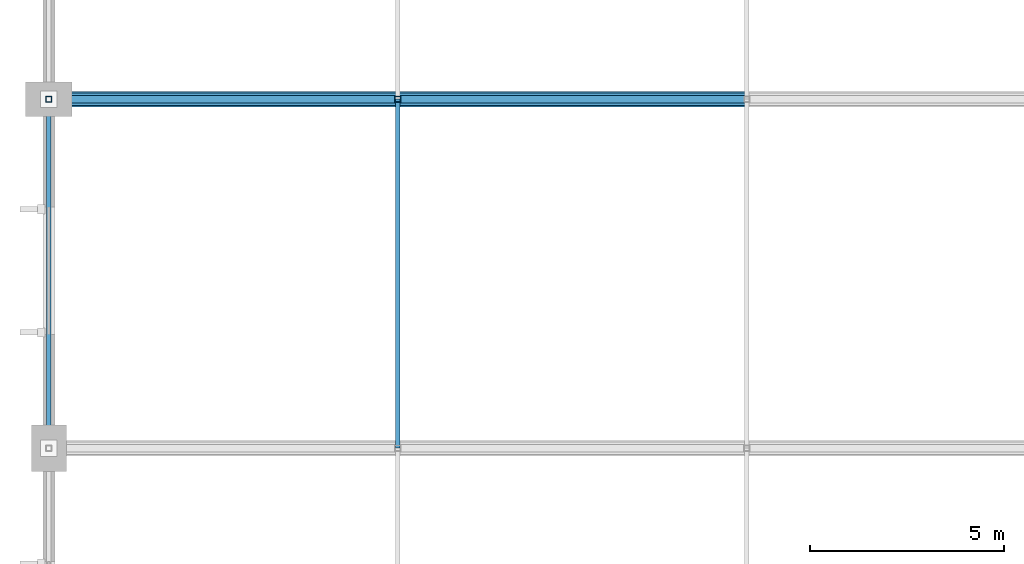
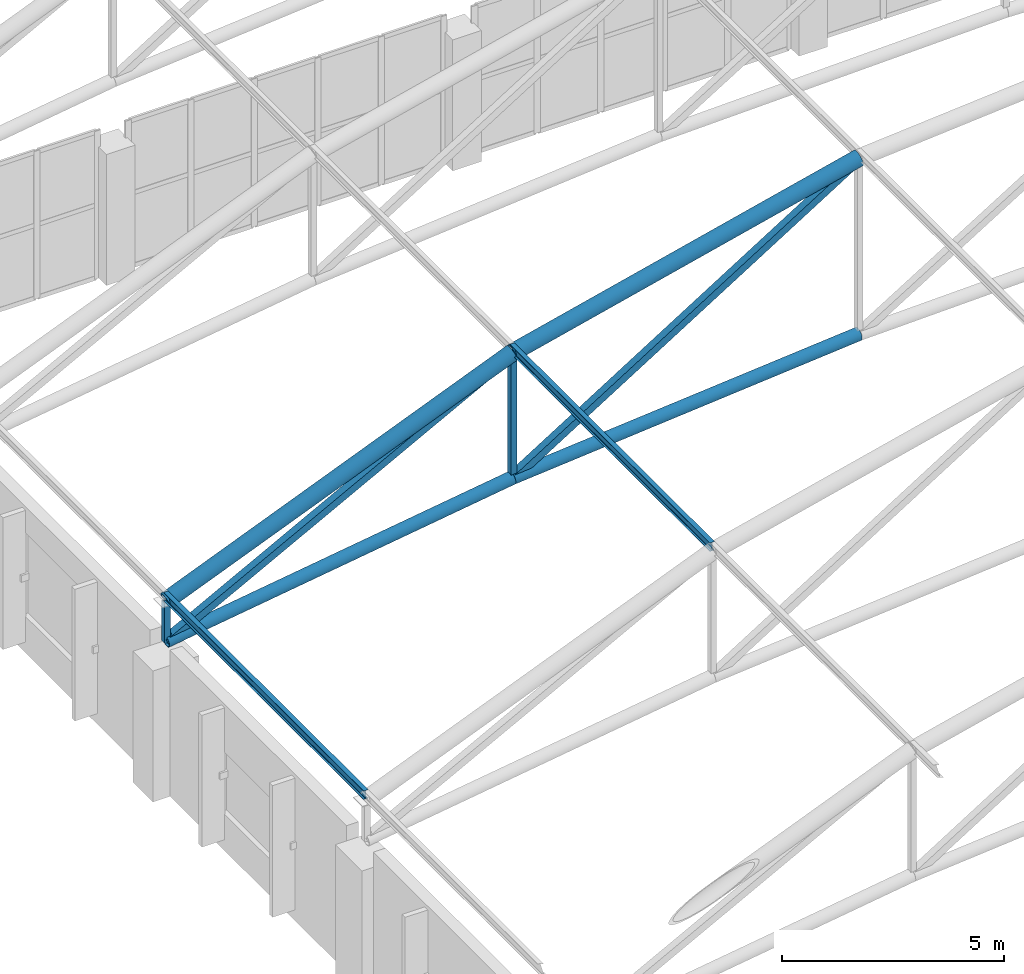
# One storey, part 55 of 167: 10 members.
"""IFC4 building model written with IfcOpenShell, lengths in metres."""

from ifc_helpers import new_model, si_unit, direction, frame, origin, origin_2d, place, context, subcontext, project, spatial, hollow_rectangle, hollow_circle, i_section, extrude, material, material_profile, profile_set, type_object, element, save


model = new_model("IFC4")

# Units and contexts
model_context = context("Model", 3, precision=1e-05, world=origin(), true_north=direction((0.0, 1.0)))
body_context = subcontext(model_context, "Body", "Model", "MODEL_VIEW")
ifc_project = project(units=[si_unit("LENGTHUNIT", "METRE"), si_unit("AREAUNIT", "SQUARE_METRE"), si_unit("VOLUMEUNIT", "CUBIC_METRE"), si_unit("PLANEANGLEUNIT", "RADIAN"), si_unit("MASSUNIT", "GRAM", prefix="KILO")], contexts=[model_context])

# Site, building, storey
site_placement = place(None, origin())
site = spatial("IfcSite", under=ifc_project, at=site_placement, CompositionType="ELEMENT")
building_placement = place(site_placement, origin())
building = spatial("IfcBuilding", under=site, at=building_placement, Name="Dornveld Trade and Exhibition Forum", CompositionType="ELEMENT")
storey_placement = place(building_placement, frame((0.0, 0.0, 16.800048828125)))
storey = spatial("IfcBuildingStorey", under=building, at=storey_placement, Name="L03", CompositionType="ELEMENT", Elevation=16.800048828125)

# Members
ifc_material_1 = material(Name="Steel S355J2", Category="steel")
ifc_material_profile_1 = material_profile(ifc_material_1, hollow_circle(Radius=0.161865234375, WallThickness=0.01611328125, at=origin_2d()), Name="CHS 323.9x16")
ifc_profile_set_1 = profile_set([ifc_material_profile_1], Name="Steel S355J2")
member_type_1 = type_object("IfcMemberType", Name="MEM-ARCH-BC", PredefinedType="CHORD", material=ifc_profile_set_1)
member_1_placement = place(storey_placement, frame((27.0, 117.0, 3.949951171875), z_axis=(0.989204758987, 0.0, 0.146539908551), x_axis=(0.0, 1.0, 0.0)))
element("IfcMember", 1, at=member_1_placement, inside=storey, type_object=member_type_1, Name="H3 truss 10 tie chord 1", PredefinedType="CHORD", context=body_context, shape_type="SweptSolid", body=[
    extrude(hollow_circle(Radius=0.161865234375, WallThickness=0.01611328125, at=origin_2d()), origin(), (0.0, 0.0, 1.0), 9.09814453125),
])
member_2_placement = place(storey_placement, frame((36.0, 117.0, 5.283203125), z_axis=(0.996072164085, 0.0, 0.088545151956), x_axis=(0.0, 1.0, 0.0)))
element("IfcMember", 2, at=member_2_placement, inside=storey, type_object=member_type_1, Name="H3 truss 10 tie chord 2", PredefinedType="CHORD", context=body_context, shape_type="SweptSolid", body=[
    extrude(hollow_circle(Radius=0.161865234375, WallThickness=0.01611328125, at=origin_2d()), origin(), (0.0, 0.0, 1.0), 9.035400390625),
])
ifc_material_2 = material(Name="Steel S355J2", Category="steel")
ifc_material_profile_2 = material_profile(ifc_material_2, hollow_rectangle(XDim=0.14990234375, YDim=0.14990234375, WallThickness=0.008056640625, at=origin_2d()), Name="SHS 150x150x8")
ifc_profile_set_2 = profile_set([ifc_material_profile_2], Name="Steel S355J2")
member_type_2 = type_object("IfcMemberType", Name="MEM-ARCH-STR", PredefinedType="STRUT", material=ifc_profile_set_2)
member_3_placement = place(storey_placement, frame((27.0, 117.0, 3.949951171875), z_axis=(0.0, 0.0, 1.0), x_axis=(1.0, 0.0, 0.0)))
element("IfcMember", 3, at=member_3_placement, inside=storey, type_object=member_type_2, Name="H3 truss 10 strut 1", PredefinedType="STRUT", context=body_context, shape_type="SweptSolid", body=[
    extrude(hollow_rectangle(XDim=0.14990234375, YDim=0.14990234375, WallThickness=0.008056640625, at=origin_2d()), origin(), (0.0, 0.0, 1.0), 1.10009765625),
])
member_4_placement = place(storey_placement, frame((36.0, 117.0, 5.283203125), z_axis=(0.0, 0.0, 1.0), x_axis=(1.0, 0.0, 0.0)))
element("IfcMember", 4, at=member_4_placement, inside=storey, type_object=member_type_2, Name="H3 truss 10 strut 2", PredefinedType="STRUT", context=body_context, shape_type="SweptSolid", body=[
    extrude(hollow_rectangle(XDim=0.14990234375, YDim=0.14990234375, WallThickness=0.008056640625, at=origin_2d()), origin(), (0.0, 0.0, 1.0), 3.433349609375),
])
ifc_material_3 = material(Name="Steel S355J2", Category="steel")
ifc_material_profile_3 = material_profile(ifc_material_3, hollow_circle(Radius=0.203125, WallThickness=0.02001953125, at=origin_2d()), Name="CHS 406.4x20")
ifc_profile_set_3 = profile_set([ifc_material_profile_3], Name="Steel S355J2")
member_type_3 = type_object("IfcMemberType", Name="MEM-ARCH-TC", PredefinedType="CHORD", material=ifc_profile_set_3)
member_5_placement = place(storey_placement, frame((27.0, 117.0, 5.050048828125), z_axis=(0.926098211611, 0.0, 0.377282523383), x_axis=(0.0, 1.0, 0.0)))
element("IfcMember", 5, at=member_5_placement, inside=storey, type_object=member_type_3, Name="H3 truss 10 top chord 1", PredefinedType="CHORD", context=body_context, shape_type="SweptSolid", body=[
    extrude(hollow_circle(Radius=0.203125, WallThickness=0.02001953125, at=origin_2d()), origin(), (0.0, 0.0, 1.0), 9.71826171875),
])
member_6_placement = place(storey_placement, frame((36.0, 117.0, 8.716552734375), z_axis=(0.971394143806, 0.0, 0.237472982421), x_axis=(0.0, 1.0, 0.0)))
element("IfcMember", 6, at=member_6_placement, inside=storey, type_object=member_type_3, Name="H3 truss 10 top chord 2", PredefinedType="CHORD", context=body_context, shape_type="SweptSolid", body=[
    extrude(hollow_circle(Radius=0.203125, WallThickness=0.02001953125, at=origin_2d()), origin(), (0.0, 0.0, 1.0), 9.26513671875),
])
ifc_material_4 = material(Name="Steel S355J2", Category="steel")
ifc_material_profile_4 = material_profile(ifc_material_4, hollow_rectangle(XDim=0.199951171875, YDim=0.199951171875, WallThickness=0.010009765625, at=origin_2d()), Name="SHS 200x200x10")
ifc_profile_set_4 = profile_set([ifc_material_profile_4], Name="Steel S355J2")
member_type_4 = type_object("IfcMemberType", Name="MEM-ARCH-WEB", PredefinedType="BRACE", material=ifc_profile_set_4)
member_7_placement = place(storey_placement, frame((27.0, 117.0, 3.949951171875), z_axis=(0.883710934211, 0.0, 0.468033102201), x_axis=(0.0, 1.0, 0.0)))
element("IfcMember", 7, at=member_7_placement, inside=storey, type_object=member_type_4, Name="H3 truss 10 web 1", PredefinedType="BRACE", context=body_context, shape_type="SweptSolid", body=[
    extrude(hollow_rectangle(XDim=0.199951171875, YDim=0.199951171875, WallThickness=0.010009765625, at=origin_2d()), origin(), (0.0, 0.0, 1.0), 10.184326171875),
])
member_8_placement = place(storey_placement, frame((36.0, 117.0, 5.283203125), z_axis=(0.84763640931, 0.0, 0.53057753214), x_axis=(0.0, 1.0, 0.0)))
element("IfcMember", 8, at=member_8_placement, inside=storey, type_object=member_type_4, Name="H3 truss 10 web 2", PredefinedType="BRACE", context=body_context, shape_type="SweptSolid", body=[
    extrude(hollow_rectangle(XDim=0.199951171875, YDim=0.199951171875, WallThickness=0.010009765625, at=origin_2d()), origin(), (0.0, 0.0, 1.0), 10.61767578125),
])
ifc_material_5 = material(Name="Steel S355J2", Category="steel")
ifc_material_profile_5 = material_profile(ifc_material_5, i_section(OverallWidth=0.1201171875, OverallDepth=0.239990234375, WebThickness=0.006103515625, FlangeThickness=0.009765625, FilletRadius=0.014892578125, at=origin_2d()), Name="IPE 240")
ifc_profile_set_5 = profile_set([ifc_material_profile_5], Name="Steel S355J2")
member_type_5 = type_object("IfcMemberType", Name="MEM-PURLIN-240", PredefinedType="PURLIN", material=ifc_profile_set_5)
for number, where, z_axis, x_axis, name in (
    (9, (27.0, 108.0, 5.181884765625), (0.0, 1.0, 0.0), (-1.0, 0.0, 0.0), "H3 bay 9 roof purlin 1"),
    (10, (36.0, 108.0, 8.8486328125), (0.0, 1.0, 0.0), (-1.0, 0.0, 0.0), "H3 bay 9 roof purlin 2"),
):
    element("IfcMember", number, at=place(storey_placement, frame(where, z_axis=z_axis, x_axis=x_axis)), inside=storey, type_object=member_type_5, Name=name, PredefinedType="PURLIN", context=body_context, shape_type="SweptSolid", body=[
        extrude(i_section(OverallWidth=0.1201171875, OverallDepth=0.239990234375, WebThickness=0.006103515625, FlangeThickness=0.009765625, FilletRadius=0.014892578125, at=origin_2d()), origin(), (0.0, 0.0, 1.0), 9.0),
    ])

save(model, "model.ifc")
